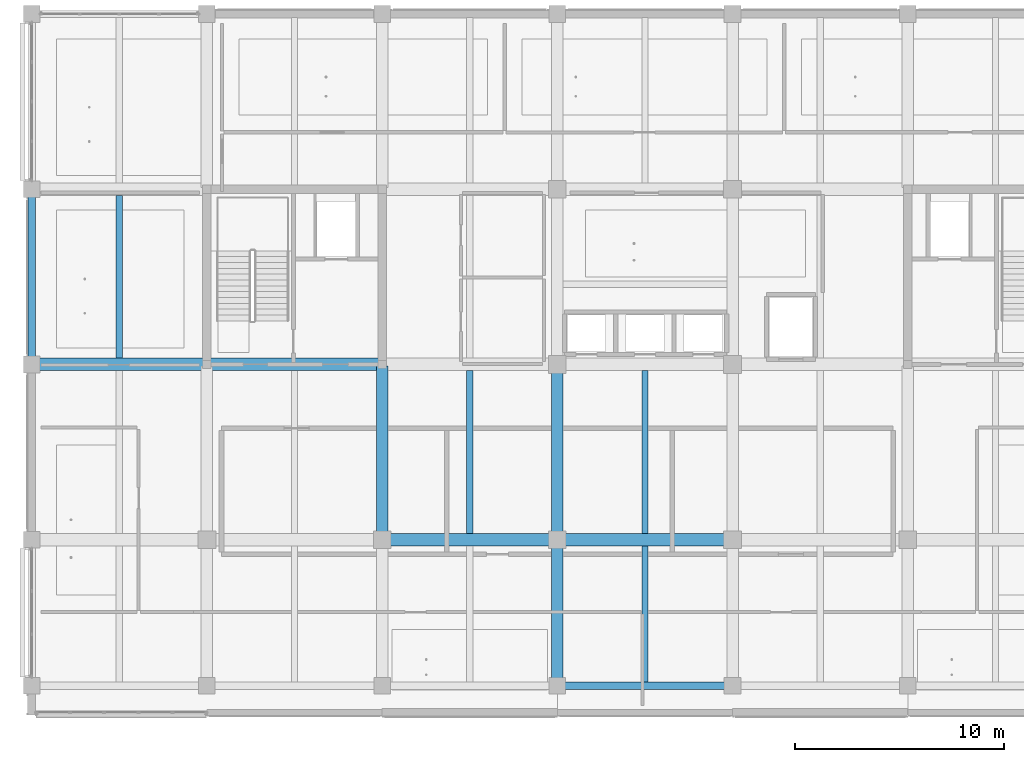
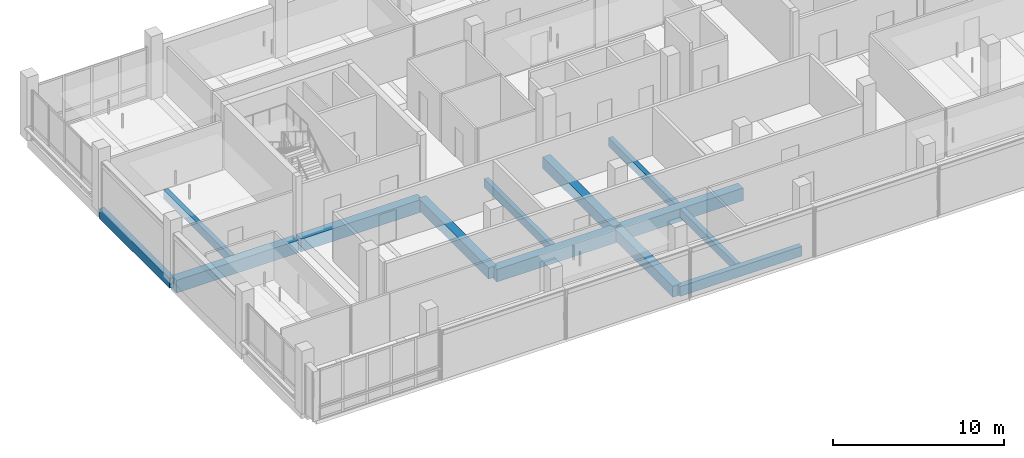
# One storey, part 3 of 35: 13 beams.
"""IFC4 building model written with IfcOpenShell, lengths in metres."""

from ifc_helpers import new_model, si_unit, direction, frame, origin, origin_2d, place, context, subcontext, project, spatial, rectangle, extrude, material, material_profile, profile_set, type_object, element, save


model = new_model("IFC4")

# Units and contexts
model_context = context("Model", 3, precision=1e-05, world=origin(), true_north=direction((0.0, 1.0)))
body_context = subcontext(model_context, "Body", "Model", "MODEL_VIEW")
ifc_project = project(units=[si_unit("LENGTHUNIT", "METRE"), si_unit("AREAUNIT", "SQUARE_METRE"), si_unit("VOLUMEUNIT", "CUBIC_METRE"), si_unit("PLANEANGLEUNIT", "RADIAN"), si_unit("MASSUNIT", "GRAM", prefix="KILO")], contexts=[model_context])

# Site, building, storey
site_placement = place(None, origin())
site = spatial("IfcSite", under=ifc_project, at=site_placement, CompositionType="ELEMENT")
building_placement = place(site_placement, origin())
building = spatial("IfcBuilding", under=site, at=building_placement, Name="Telukmera Botanical Conservatory", CompositionType="ELEMENT")
storey_placement = place(building_placement, frame((0.0, 0.0, 28.5)))
storey = spatial("IfcBuildingStorey", under=building, at=storey_placement, Name="L06", CompositionType="ELEMENT", Elevation=28.5)

# Beams
ifc_material_1 = material(Name="Concrete C40/50", Category="concrete")
ifc_material_profile_1 = material_profile(ifc_material_1, rectangle(XDim=0.550048828125, YDim=0.800048828125, at=origin_2d()), Name="RC 550x800")
ifc_profile_set_1 = profile_set([ifc_material_profile_1], Name="Concrete C40/50")
beam_type_1 = type_object("IfcBeamType", Name="Beam_B12", PredefinedType="BEAM", material=ifc_profile_set_1)
beam_1_placement = place(storey_placement, frame((67.199951171875, 17.679931640625, -0.39990234375), z_axis=(0.0, 1.0, 0.0), x_axis=(-1.0, 0.0, 0.0)))
element("IfcBeam", 1, at=beam_1_placement, inside=storey, type_object=beam_type_1, Name="Tower Transverse Beam L06", PredefinedType="BEAM", context=body_context, shape_type="SweptSolid", body=[
    extrude(rectangle(XDim=0.550048828125, YDim=0.800048828125, at=origin_2d()), origin(), (0.0, 0.0, 1.0), 8.239990234375),
])
beam_2_placement = place(storey_placement, frame((75.60009765625, 10.679931640625, -0.39990234375), z_axis=(0.0, 1.0, 0.0), x_axis=(-1.0, 0.0, 0.0)))
element("IfcBeam", 2, at=beam_2_placement, inside=storey, type_object=beam_type_1, Name="Tower Transverse Beam L06", PredefinedType="BEAM", context=body_context, shape_type="SweptSolid", body=[
    extrude(rectangle(XDim=0.550048828125, YDim=0.800048828125, at=origin_2d()), origin(), (0.0, 0.0, 1.0), 6.840087890625),
])
beam_3_placement = place(storey_placement, frame((75.60009765625, 17.679931640625, -0.39990234375), z_axis=(0.0, 1.0, 0.0), x_axis=(-1.0, 0.0, 0.0)))
element("IfcBeam", 3, at=beam_3_placement, inside=storey, type_object=beam_type_1, Name="Tower Transverse Beam L06", PredefinedType="BEAM", context=body_context, shape_type="SweptSolid", body=[
    extrude(rectangle(XDim=0.550048828125, YDim=0.800048828125, at=origin_2d()), origin(), (0.0, 0.0, 1.0), 8.239990234375),
])
ifc_material_profile_2 = material_profile(ifc_material_1, rectangle(XDim=0.300048828125, YDim=0.60009765625, at=origin_2d()), Name="RC 300x600")
ifc_profile_set_2 = profile_set([ifc_material_profile_2], Name="Concrete C40/50")
beam_type_2 = type_object("IfcBeamType", Name="Beam_B23", PredefinedType="JOIST", material=ifc_profile_set_2)
for number, where, z_axis, x_axis, name in (
    (4, (54.60009765625, 26.300048828125, -0.300048828125), (0.0, 1.0, 0.0), (-1.0, 0.0, 0.0), "Tower Secondary Floor Joist L06"),
    (5, (71.39990234375, 17.89990234375, -0.300048828125), (0.0, 1.0, 0.0), (-1.0, 0.0, 0.0), "Tower Secondary Floor Joist L06"),
):
    element("IfcBeam", number, at=place(storey_placement, frame(where, z_axis=z_axis, x_axis=x_axis)), inside=storey, type_object=beam_type_2, Name=name, PredefinedType="JOIST", context=body_context, shape_type="SweptSolid", body=[
        extrude(rectangle(XDim=0.300048828125, YDim=0.60009765625, at=origin_2d()), origin(), (0.0, 0.0, 1.0), 7.800048828125),
    ])
beam_4_placement = place(storey_placement, frame((79.800048828125, 10.77490234375, -0.300048828125), z_axis=(0.0, 1.0, 0.0), x_axis=(-1.0, 0.0, 0.0)))
element("IfcBeam", 6, at=beam_4_placement, inside=storey, type_object=beam_type_2, Name="Tower Secondary Floor Joist L06", PredefinedType="JOIST", context=body_context, shape_type="SweptSolid", body=[
    extrude(rectangle(XDim=0.300048828125, YDim=0.60009765625, at=origin_2d()), origin(), (0.0, 0.0, 1.0), 6.525146484375),
])
beam_5_placement = place(storey_placement, frame((79.800048828125, 17.89990234375, -0.300048828125), z_axis=(0.0, 1.0, 0.0), x_axis=(-1.0, 0.0, 0.0)))
element("IfcBeam", 7, at=beam_5_placement, inside=storey, type_object=beam_type_2, Name="Tower Secondary Floor Joist L06", PredefinedType="JOIST", context=body_context, shape_type="SweptSolid", body=[
    extrude(rectangle(XDim=0.300048828125, YDim=0.60009765625, at=origin_2d()), origin(), (0.0, 0.0, 1.0), 7.800048828125),
])
ifc_material_profile_3 = material_profile(ifc_material_1, rectangle(XDim=0.60009765625, YDim=0.89990234375, at=origin_2d()), Name="RC 600x900")
ifc_profile_set_3 = profile_set([ifc_material_profile_3], Name="Concrete C40/50")
beam_type_3 = type_object("IfcBeamType", Name="Beam_B3", PredefinedType="BEAM", material=ifc_profile_set_3)
for number, where, z_axis, x_axis, name in (
    (8, (67.280029296875, 17.60009765625, -0.449951171875), (1.0, 0.0, 0.0), (0.0, 1.0, 0.0), "Tower Grid Beam L06"),
    (9, (75.679931640625, 17.60009765625, -0.449951171875), (1.0, 0.0, 0.0), (0.0, 1.0, 0.0), "Tower Grid Beam L06"),
    (10, (50.47998046875, 26.0, -0.449951171875), (1.0, 0.0, 0.0), (0.0, 1.0, 0.0), "Tower Grid Beam L06"),
):
    element("IfcBeam", number, at=place(storey_placement, frame(where, z_axis=z_axis, x_axis=x_axis)), inside=storey, type_object=beam_type_3, Name=name, PredefinedType="BEAM", context=body_context, shape_type="SweptSolid", body=[
        extrude(rectangle(XDim=0.60009765625, YDim=0.89990234375, at=origin_2d()), origin(), (0.0, 0.0, 1.0), 8.239990234375),
    ])
beam_6_placement = place(storey_placement, frame((58.8798828125, 26.0, -0.449951171875), z_axis=(1.0, 0.0, 0.0), x_axis=(0.0, 1.0, 0.0)))
element("IfcBeam", 11, at=beam_6_placement, inside=storey, type_object=beam_type_3, Name="Tower Grid Beam L06", PredefinedType="BEAM", context=body_context, shape_type="SweptSolid", body=[
    extrude(rectangle(XDim=0.60009765625, YDim=0.89990234375, at=origin_2d()), origin(), (0.0, 0.0, 1.0), 8.240234375),
])
ifc_material_2 = material(Name="Precast concrete C40/50", Category="concrete")
ifc_material_profile_4 = material_profile(ifc_material_2, rectangle(XDim=0.35009765625, YDim=0.699951171875, at=origin_2d()), Name="PC 350x700")
ifc_profile_set_4 = profile_set([ifc_material_profile_4], Name="Precast concrete C40/50")
beam_type_4 = type_object("IfcBeamType", Name="Beam_SP2", PredefinedType="SPANDREL", material=ifc_profile_set_4)
for number, where, z_axis, x_axis, name in (
    (12, (75.679931640625, 10.60009765625, -0.35009765625), (1.0, 0.0, 0.0), (0.0, 1.0, 0.0), "Tower Grid Beam L06"),
    (13, (50.39990234375, 26.080078125, -0.35009765625), (0.0, 1.0, 0.0), (-1.0, 0.0, 0.0), "Tower Transverse Beam L06"),
):
    element("IfcBeam", number, at=place(storey_placement, frame(where, z_axis=z_axis, x_axis=x_axis)), inside=storey, type_object=beam_type_4, Name=name, PredefinedType="SPANDREL", context=body_context, shape_type="SweptSolid", body=[
        extrude(rectangle(XDim=0.35009765625, YDim=0.699951171875, at=origin_2d()), origin(), (0.0, 0.0, 1.0), 8.239990234375),
    ])

save(model, "model.ifc")
